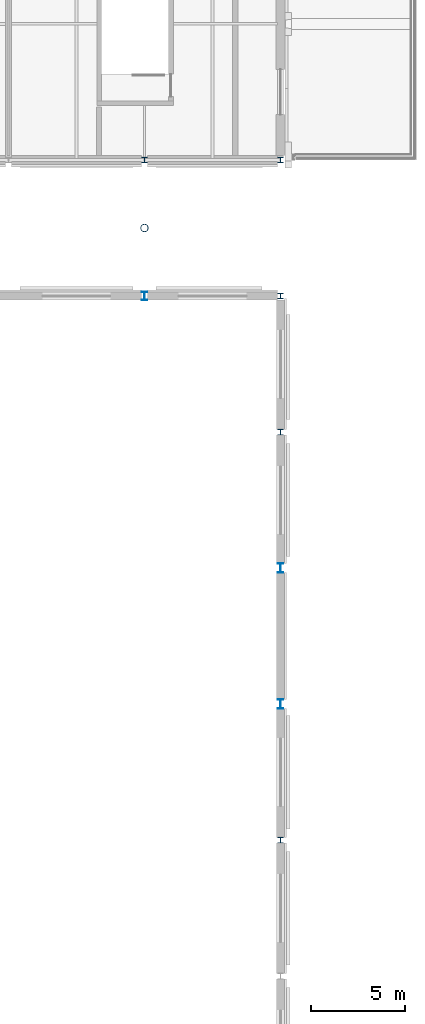
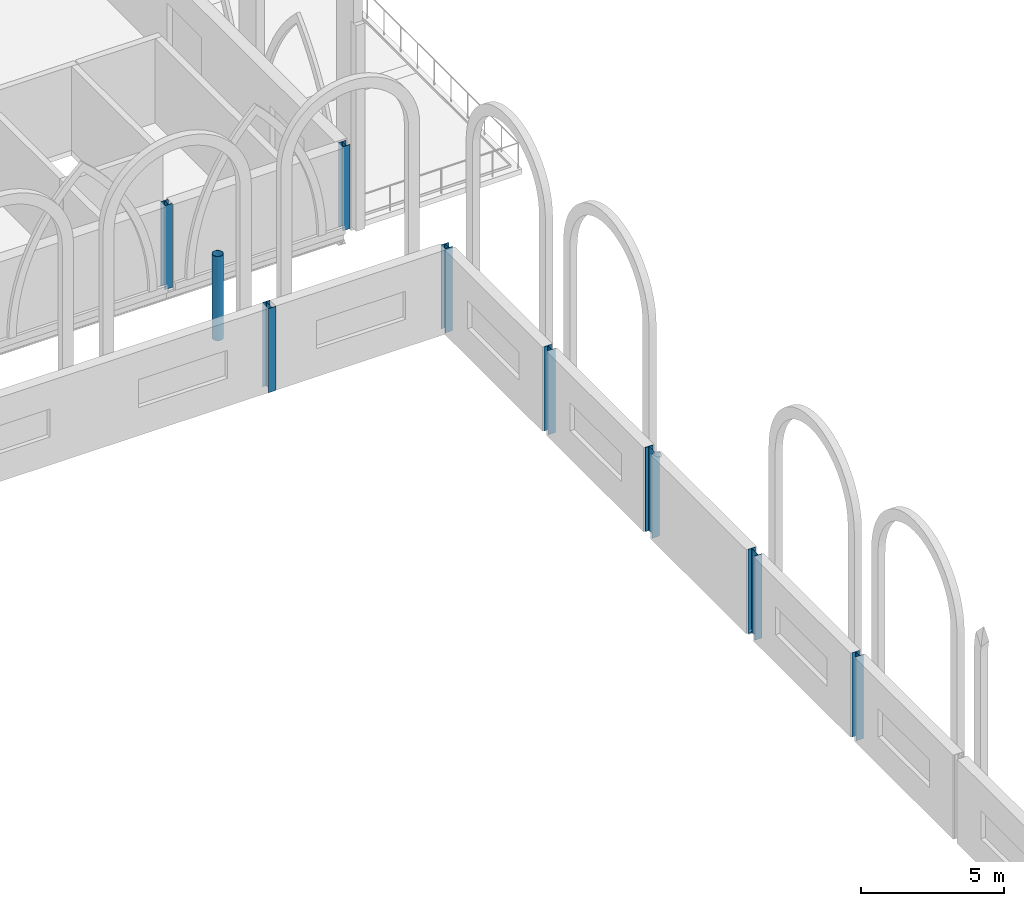
# One storey, part 26 of 143: 9 columns.
"""IFC4 building model written with IfcOpenShell, lengths in metres."""

from ifc_helpers import new_model, si_unit, direction, frame, origin, origin_2d, place, context, subcontext, project, spatial, hollow_circle, i_section, extrude, material, material_profile, profile_set, type_object, element, save


model = new_model("IFC4")

# Units and contexts
model_context = context("Model", 3, precision=1e-05, world=origin(), true_north=direction((0.0, 1.0)))
body_context = subcontext(model_context, "Body", "Model", "MODEL_VIEW")
ifc_project = project(units=[si_unit("LENGTHUNIT", "METRE"), si_unit("AREAUNIT", "SQUARE_METRE"), si_unit("VOLUMEUNIT", "CUBIC_METRE"), si_unit("PLANEANGLEUNIT", "RADIAN"), si_unit("MASSUNIT", "GRAM", prefix="KILO")], contexts=[model_context])

# Site, building, storey
site_placement = place(None, origin())
site = spatial("IfcSite", under=ifc_project, at=site_placement, CompositionType="ELEMENT")
building_placement = place(site_placement, origin())
building = spatial("IfcBuilding", under=site, at=building_placement, Name="Kupolbacken Congress Centre", CompositionType="ELEMENT")
storey_placement = place(building_placement, frame((0.0, 0.0, 7.199951171875)))
storey = spatial("IfcBuildingStorey", under=building, at=storey_placement, Name="L02", CompositionType="ELEMENT", Elevation=7.199951171875)

# Columns
ifc_material_1 = material(Name="Steel S355", Category="steel")
ifc_material_profile_1 = material_profile(ifc_material_1, i_section(OverallWidth=0.300048828125, OverallDepth=0.300048828125, WebThickness=0.010986328125, FlangeThickness=0.01904296875, FilletRadius=0.027099609375, at=origin_2d()), Name="HEB 300")
ifc_profile_set_1 = profile_set([ifc_material_profile_1], Name="Steel S355")
column_type_1 = type_object("IfcColumnType", Name="C06 column HEB 300", PredefinedType="COLUMN", material=ifc_profile_set_1)
for number, where, z_axis, x_axis, name in (
    (1, (194.39990234375, 122.39990234375, 0.0), (0.0, 0.0, 1.0), (1.0, 0.0, 0.0), "S/col/C-B-B7S/L02"),
    (2, (201.60009765625, 122.39990234375, 0.0), (0.0, 0.0, 1.0), (1.0, 0.0, 0.0), "S/col/C-B-B8S/L02"),
):
    element("IfcColumn", number, at=place(storey_placement, frame(where, z_axis=z_axis, x_axis=x_axis)), inside=storey, type_object=column_type_1, Name=name, PredefinedType="COLUMN", context=body_context, shape_type="SweptSolid", body=[
        extrude(i_section(OverallWidth=0.300048828125, OverallDepth=0.300048828125, WebThickness=0.010986328125, FlangeThickness=0.01904296875, FilletRadius=0.027099609375, at=origin_2d()), origin(), (0.0, 0.0, 1.0), 3.60009765625),
    ])
ifc_material_2 = material(Name="Steel S355", Category="steel")
ifc_material_profile_2 = material_profile(ifc_material_2, i_section(OverallWidth=0.300048828125, OverallDepth=0.43994140625, WebThickness=0.011474609375, FlangeThickness=0.02099609375, FilletRadius=0.027099609375, at=origin_2d()), Name="HEA 450")
ifc_profile_set_2 = profile_set([ifc_material_profile_2], Name="Steel S355")
column_type_2 = type_object("IfcColumnType", Name="C07 column HEA 450", PredefinedType="COLUMN", material=ifc_profile_set_2)
column_1_placement = place(storey_placement, frame((194.39990234375, 115.199951171875, 0.0), z_axis=(0.0, 0.0, 1.0), x_axis=(1.0, 0.0, 0.0)))
element("IfcColumn", 3, at=column_1_placement, inside=storey, type_object=column_type_2, Name="S/col/C-H-T8N/L02", PredefinedType="COLUMN", context=body_context, shape_type="SweptSolid", body=[
    extrude(i_section(OverallWidth=0.300048828125, OverallDepth=0.43994140625, WebThickness=0.011474609375, FlangeThickness=0.02099609375, FilletRadius=0.027099609375, at=origin_2d()), origin(), (0.0, 0.0, 1.0), 3.60009765625),
])
ifc_material_3 = material(Name="Steel S355", Category="steel")
ifc_material_profile_3 = material_profile(ifc_material_3, i_section(OverallWidth=0.300048828125, OverallDepth=0.2900390625, WebThickness=0.008544921875, FlangeThickness=0.013916015625, FilletRadius=0.027099609375, at=origin_2d()), Name="HEA 300")
ifc_profile_set_3 = profile_set([ifc_material_profile_3], Name="Steel S355")
column_type_3 = type_object("IfcColumnType", Name="C09 column HEA 300", PredefinedType="COLUMN", material=ifc_profile_set_3)
for number, where, z_axis, x_axis, name in (
    (4, (201.60009765625, 86.39990234375, 0.0), (0.0, 0.0, 1.0), (1.0, 0.0, 0.0), "S/col/C-H-PE07/L02"),
    (5, (201.60009765625, 108.0, 0.0), (0.0, 0.0, 1.0), (1.0, 0.0, 0.0), "S/col/C-H-PE10/L02"),
    (6, (201.60009765625, 115.199951171875, 0.0), (0.0, 0.0, 1.0), (1.0, 0.0, 0.0), "S/col/C-H-PE11/L02"),
):
    element("IfcColumn", number, at=place(storey_placement, frame(where, z_axis=z_axis, x_axis=x_axis)), inside=storey, type_object=column_type_3, Name=name, PredefinedType="COLUMN", context=body_context, shape_type="SweptSolid", body=[
        extrude(i_section(OverallWidth=0.300048828125, OverallDepth=0.2900390625, WebThickness=0.008544921875, FlangeThickness=0.013916015625, FilletRadius=0.027099609375, at=origin_2d()), origin(), (0.0, 0.0, 1.0), 3.60009765625),
    ])
ifc_material_4 = material(Name="Steel S355", Category="steel")
ifc_material_profile_4 = material_profile(ifc_material_4, i_section(OverallWidth=0.300048828125, OverallDepth=0.489990234375, WebThickness=0.011962890625, FlangeThickness=0.02294921875, FilletRadius=0.027099609375, at=origin_2d()), Name="HEA 500")
ifc_profile_set_4 = profile_set([ifc_material_profile_4], Name="Steel S355")
column_type_4 = type_object("IfcColumnType", Name="C14 column HEA 500", PredefinedType="COLUMN", material=ifc_profile_set_4)
for number, where, z_axis, x_axis, name in (
    (7, (201.60009765625, 93.60009765625, 0.0), (0.0, 0.0, 1.0), (1.0, 0.0, 0.0), "S/col/C-H-PE08/L02"),
    (8, (201.60009765625, 100.800048828125, 0.0), (0.0, 0.0, 1.0), (1.0, 0.0, 0.0), "S/col/C-H-PE09/L02"),
):
    element("IfcColumn", number, at=place(storey_placement, frame(where, z_axis=z_axis, x_axis=x_axis)), inside=storey, type_object=column_type_4, Name=name, PredefinedType="COLUMN", context=body_context, shape_type="SweptSolid", body=[
        extrude(i_section(OverallWidth=0.300048828125, OverallDepth=0.489990234375, WebThickness=0.011962890625, FlangeThickness=0.02294921875, FilletRadius=0.027099609375, at=origin_2d()), origin(), (0.0, 0.0, 1.0), 3.60009765625),
    ])
ifc_material_5 = material(Name="Steel S355", Category="steel")
ifc_material_profile_5 = material_profile(ifc_material_5, hollow_circle(Radius=0.203125, WallThickness=0.01611328125, at=origin_2d()), Name="CHS 406.4 x 16")
ifc_profile_set_5 = profile_set([ifc_material_profile_5], Name="Steel S355")
column_type_5 = type_object("IfcColumnType", Name="C15 roof mast CHS 406.4 x 16", PredefinedType="COLUMN", material=ifc_profile_set_5)
column_2_placement = place(storey_placement, frame((194.39990234375, 118.800048828125, 0.0), z_axis=(0.0, 0.0, 1.0), x_axis=(1.0, 0.0, 0.0)))
element("IfcColumn", 9, at=column_2_placement, inside=storey, type_object=column_type_5, Name="Roof mast M8N", PredefinedType="COLUMN", context=body_context, shape_type="SweptSolid", body=[
    extrude(hollow_circle(Radius=0.203125, WallThickness=0.01611328125, at=origin_2d()), origin(), (0.0, 0.0, 1.0), 3.60009765625),
])

save(model, "model.ifc")
